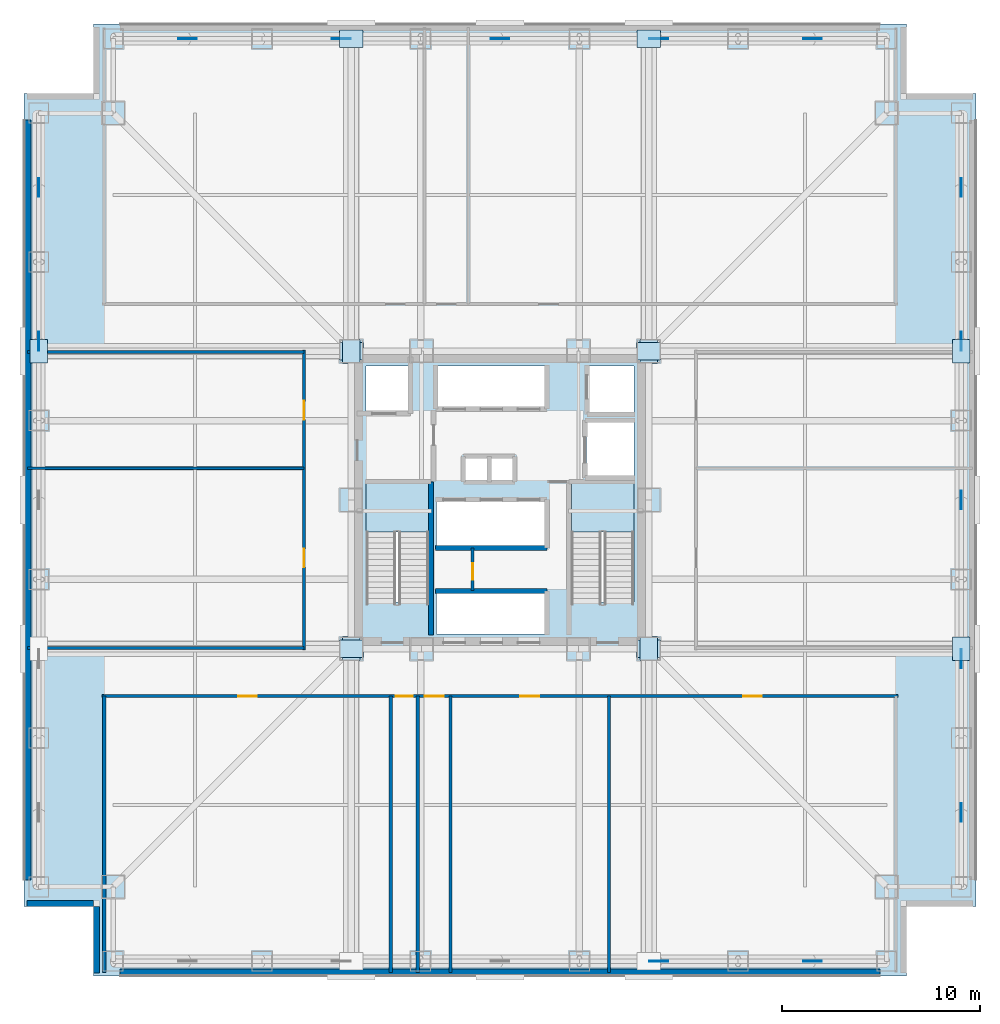
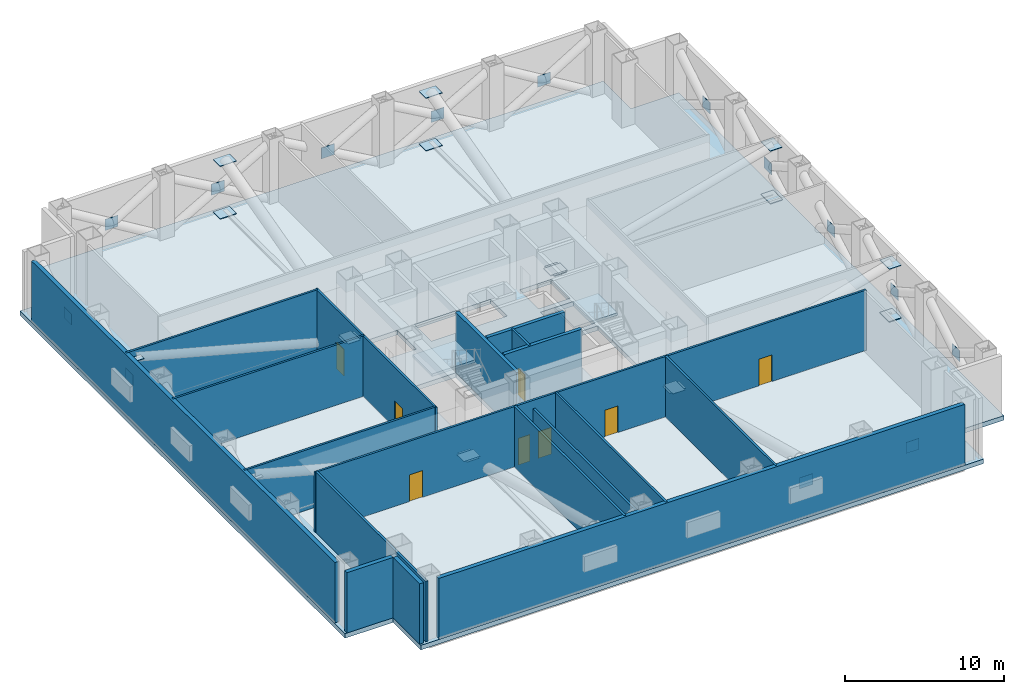
# One storey, part 3 of 8: 31 plates, 18 walls, 8 doors, 3 slabs, 8 openings, 2 elements without a shape of their own.
"""IFC4 building model written with IfcOpenShell, lengths in metres."""

from ifc_helpers import new_model, si_unit, direction, frame, frame_2d, origin, origin_2d, place, context, subcontext, project, spatial, polyline, rectangle, outline, extrude, material, layer, layer_set, type_object, element, fill, aggregate, save


model = new_model("IFC4")

# Units and contexts
model_context = context("Model", 3, precision=1e-05, world=origin(), true_north=direction((0.0, 1.0)))
body_context = subcontext(model_context, "Body", "Model", "MODEL_VIEW")
ifc_project = project(units=[si_unit("LENGTHUNIT", "METRE"), si_unit("AREAUNIT", "SQUARE_METRE"), si_unit("VOLUMEUNIT", "CUBIC_METRE"), si_unit("PLANEANGLEUNIT", "RADIAN"), si_unit("MASSUNIT", "GRAM", prefix="KILO")], contexts=[model_context])

# Site, building, storey
site_placement = place(None, origin())
site = spatial("IfcSite", under=ifc_project, at=site_placement, CompositionType="ELEMENT")
building_placement = place(site_placement, origin())
building = spatial("IfcBuilding", under=site, at=building_placement, Name="Trevonay Congress Spire", CompositionType="ELEMENT")
storey_placement = place(building_placement, frame((0.0, 0.0, 83.0)))
storey = spatial("IfcBuildingStorey", under=building, at=storey_placement, Name="L21", CompositionType="ELEMENT", Elevation=83.0)

# Plates
ifc_material_1 = material(Name="Steel ASTM A572 Grade 50", Category="steel")
ifc_layer_1 = layer(ifc_material_1, 0.034912109375, Name="Steel ASTM A572 Grade 50")
ifc_layer_set_1 = layer_set([ifc_layer_1], Name="Steel ASTM A572 Grade 50")
plate_type_1 = type_object("IfcPlateType", Name="PLT-GUSSET-BELT-35", PredefinedType="USERDEFINED", material=ifc_layer_set_1)
for number, where, z_axis, x_axis, name in (
    (1, (8.0, -23.25, 1.800048828125), (0.0, 0.0, 1.0), (1.0, 0.0, 0.0), "L21 belt X-brace crossing gusset plate XN-01 S3"),
    (2, (15.75, -23.25, 1.800048828125), (0.0, 0.0, 1.0), (1.0, 0.0, 0.0), "L21 belt X-brace crossing gusset plate XN-01 S4"),
    (3, (-15.75, 23.25, 1.800048828125), (0.0, 0.0, 1.0), (1.0, 0.0, 0.0), "L21 belt X-brace crossing gusset plate XN-01 N0"),
    (4, (-8.0, 23.25, 1.800048828125), (0.0, 0.0, 1.0), (1.0, 0.0, 0.0), "L21 belt X-brace crossing gusset plate XN-01 N1"),
    (5, (0.0, 23.25, 1.800048828125), (0.0, 0.0, 1.0), (1.0, 0.0, 0.0), "L21 belt X-brace crossing gusset plate XN-01 N2"),
    (6, (8.0, 23.25, 1.800048828125), (0.0, 0.0, 1.0), (1.0, 0.0, 0.0), "L21 belt X-brace crossing gusset plate XN-01 N3"),
    (7, (15.75, 23.25, 1.800048828125), (0.0, 0.0, 1.0), (1.0, 0.0, 0.0), "L21 belt X-brace crossing gusset plate XN-01 N4"),
):
    element("IfcPlate", number, at=place(storey_placement, frame(where, z_axis=z_axis, x_axis=x_axis)), inside=storey, type_object=plate_type_1, Name=name, ObjectType="GUSSET_PLATE", PredefinedType="USERDEFINED", context=body_context, shape_type="SweptSolid", body=[
        extrude(rectangle(XDim=0.949951171875, YDim=0.034912109375, at=origin_2d()), origin(), (0.0, 0.0, 1.0), 0.85009765625),
    ])
for number, where, z_axis, x_axis, name in (
    (8, (-23.25, 8.0, 1.800048828125), (0.0, 0.0, 1.0), (1.0, 0.0, 0.0), "L21 belt X-brace crossing gusset plate XN-01 W3"),
    (9, (-23.25, 15.75, 1.800048828125), (0.0, 0.0, 1.0), (1.0, 0.0, 0.0), "L21 belt X-brace crossing gusset plate XN-01 W4"),
    (10, (23.25, -15.75, 1.800048828125), (0.0, 0.0, 1.0), (1.0, 0.0, 0.0), "L21 belt X-brace crossing gusset plate XN-01 E0"),
    (11, (23.25, -8.0, 1.800048828125), (0.0, 0.0, 1.0), (1.0, 0.0, 0.0), "L21 belt X-brace crossing gusset plate XN-01 E1"),
    (12, (23.25, 0.0, 1.800048828125), (0.0, 0.0, 1.0), (1.0, 0.0, 0.0), "L21 belt X-brace crossing gusset plate XN-01 E2"),
    (13, (23.25, 8.0, 1.800048828125), (0.0, 0.0, 1.0), (1.0, 0.0, 0.0), "L21 belt X-brace crossing gusset plate XN-01 E3"),
    (14, (23.25, 15.75, 1.800048828125), (0.0, 0.0, 1.0), (1.0, 0.0, 0.0), "L21 belt X-brace crossing gusset plate XN-01 E4"),
):
    element("IfcPlate", number, at=place(storey_placement, frame(where, z_axis=z_axis, x_axis=x_axis)), inside=storey, type_object=plate_type_1, Name=name, ObjectType="GUSSET_PLATE", PredefinedType="USERDEFINED", context=body_context, shape_type="SweptSolid", body=[
        extrude(rectangle(XDim=0.034912109375, YDim=0.949951171875, at=origin_2d()), origin(), (0.0, 0.0, 1.0), 0.85009765625),
    ])
ifc_layer_2 = layer(ifc_material_1, 0.044921875, Name="Steel ASTM A572 Grade 50")
ifc_layer_set_2 = layer_set([ifc_layer_2], Name="Steel ASTM A572 Grade 50")
plate_type_2 = type_object("IfcPlateType", Name="PLT-GUSSET-INT-45", PredefinedType="USERDEFINED", material=ifc_layer_set_2)
for number, where, z_axis, x_axis, name in (
    (15, (-7.5, -7.5, 0.027587890625), (0.0, 0.0, 1.0), (1.0, 0.0, 0.0), "L21 outrigger-to-core cast-in embed gusset plate ON-01 (OS-W)"),
    (16, (7.5, -7.5, 0.027587890625), (0.0, 0.0, 1.0), (1.0, 0.0, 0.0), "L21 outrigger-to-core cast-in embed gusset plate ON-01 (OS-E)"),
    (17, (-7.5, 7.5, 0.027587890625), (0.0, 0.0, 1.0), (1.0, 0.0, 0.0), "L21 outrigger-to-core cast-in embed gusset plate ON-01 (ON-W)"),
    (18, (-7.5, 23.25, 0.07763671875), (0.0, 0.0, 1.0), (1.0, 0.0, 0.0), "L21 outrigger outer-chord gusset plate ON-02 (ON-W)"),
    (19, (-7.5, 23.25, 4.12744140625), (0.0, 0.0, 1.0), (1.0, 0.0, 0.0), "L21 outrigger outer-diagonal gusset plate ON-02 (ON-W)"),
    (20, (7.5, 7.5, 0.027587890625), (0.0, 0.0, 1.0), (1.0, 0.0, 0.0), "L21 outrigger-to-core cast-in embed gusset plate ON-01 (ON-E)"),
    (21, (7.5, 23.25, 0.07763671875), (0.0, 0.0, 1.0), (1.0, 0.0, 0.0), "L21 outrigger outer-chord gusset plate ON-02 (ON-E)"),
    (22, (7.5, 23.25, 4.12744140625), (0.0, 0.0, 1.0), (1.0, 0.0, 0.0), "L21 outrigger outer-diagonal gusset plate ON-02 (ON-E)"),
    (23, (-7.5, -7.5, 0.027587890625), (0.0, 0.0, 1.0), (0.0, 1.0, 0.0), "L21 outrigger-to-core cast-in embed gusset plate ON-01 (OW-S)"),
    (24, (-7.5, 7.5, 0.027587890625), (0.0, 0.0, 1.0), (0.0, 1.0, 0.0), "L21 outrigger-to-core cast-in embed gusset plate ON-01 (OW-N)"),
    (25, (-23.25, 7.5, 4.12744140625), (0.0, 0.0, 1.0), (0.0, 1.0, 0.0), "L21 outrigger outer-diagonal gusset plate ON-02 (OW-N)"),
    (26, (7.5, -7.5, 0.027587890625), (0.0, 0.0, 1.0), (0.0, 1.0, 0.0), "L21 outrigger-to-core cast-in embed gusset plate ON-01 (OE-S)"),
    (27, (23.25, -7.5, 0.07763671875), (0.0, 0.0, 1.0), (0.0, 1.0, 0.0), "L21 outrigger outer-chord gusset plate ON-02 (OE-S)"),
    (28, (23.25, -7.5, 4.12744140625), (0.0, 0.0, 1.0), (0.0, 1.0, 0.0), "L21 outrigger outer-diagonal gusset plate ON-02 (OE-S)"),
    (29, (7.5, 7.5, 0.027587890625), (0.0, 0.0, 1.0), (0.0, 1.0, 0.0), "L21 outrigger-to-core cast-in embed gusset plate ON-01 (OE-N)"),
    (30, (23.25, 7.5, 0.07763671875), (0.0, 0.0, 1.0), (0.0, 1.0, 0.0), "L21 outrigger outer-chord gusset plate ON-02 (OE-N)"),
    (31, (23.25, 7.5, 4.12744140625), (0.0, 0.0, 1.0), (0.0, 1.0, 0.0), "L21 outrigger outer-diagonal gusset plate ON-02 (OE-N)"),
):
    element("IfcPlate", number, at=place(storey_placement, frame(where, z_axis=z_axis, x_axis=x_axis)), inside=storey, type_object=plate_type_2, Name=name, ObjectType="GUSSET_PLATE", PredefinedType="USERDEFINED", context=body_context, shape_type="SweptSolid", body=[
        extrude(rectangle(XDim=1.199951171875, YDim=0.89990234375, at=origin_2d()), origin(), (0.0, 0.0, 1.0), 0.044921875),
    ])

# Slab
ifc_material_2 = material(Name="Concrete C40/50", Category="concrete")
ifc_layer_3 = layer(ifc_material_2, 0.35009765625, Name="Concrete C40/50")
ifc_layer_set_3 = layer_set([ifc_layer_3], Name="Concrete C40/50")
slab_type_1 = type_object("IfcSlabType", Name="SLB-POD-350", PredefinedType="FLOOR", material=ifc_layer_set_3)
slab_1_placement = place(storey_placement, frame((0.0, 0.0, -0.35009765625)))
element("IfcSlab", 32, at=slab_1_placement, inside=storey, type_object=slab_type_1, Name="L21 structural floor slab", PredefinedType="FLOOR", context=body_context, shape_type="SweptSolid", body=[
    extrude(outline(polyline([(-20.5, -24.0), (20.5, -24.0), (20.5, -20.5), (24.0, -20.5), (24.0, 20.5), (20.5, 20.5), (20.5, 24.0), (-20.5, 24.0), (-20.5, 20.5), (-24.0, 20.5), (-24.0, -20.5), (-20.5, -20.5), (-20.5, -24.0)]), holes=[polyline([(-3.60009765625, -5.14990234375), (-3.60009765625, 0.85009765625), (-6.75, 0.85009765625), (-6.75, -5.14990234375), (-3.60009765625, -5.14990234375)]), polyline([(6.75, -5.14990234375), (6.75, 0.85009765625), (3.60009765625, 0.85009765625), (3.60009765625, -5.14990234375), (6.75, -5.14990234375)]), polyline([(-3.199951171875, -6.75), (2.340087890625, -6.75), (2.340087890625, -4.64990234375), (-3.199951171875, -4.64990234375), (-3.199951171875, -6.75)]), polyline([(-3.199951171875, -2.35009765625), (2.340087890625, -2.35009765625), (2.340087890625, -0.050048828125), (-3.199951171875, -0.050048828125), (-3.199951171875, -2.35009765625)]), polyline([(-3.199951171875, 4.64990234375), (2.340087890625, 4.64990234375), (2.340087890625, 6.75), (-3.199951171875, 6.75), (-3.199951171875, 4.64990234375)]), polyline([(-6.75, 4.35009765625), (-4.449951171875, 4.35009765625), (-4.449951171875, 6.75), (-6.75, 6.75), (-6.75, 4.35009765625)]), polyline([(4.449951171875, 4.35009765625), (6.75, 4.35009765625), (6.75, 6.75), (4.449951171875, 6.75), (4.449951171875, 4.35009765625)]), polyline([(4.35009765625, 1.199951171875), (6.75, 1.199951171875), (6.75, 3.949951171875), (4.35009765625, 3.949951171875), (4.35009765625, 1.199951171875)]), polyline([(-1.800048828125, 0.949951171875), (0.699951171875, 0.949951171875), (0.699951171875, 2.14990234375), (-1.800048828125, 2.14990234375), (-1.800048828125, 0.949951171875)])]), origin(), (0.0, 0.0, 1.0), 0.35009765625),
])

# Stair, slab
stair_type_1 = type_object("IfcStairType", Name="STR-ST-1", PredefinedType="HALF_TURN_STAIR", material=ifc_material_2)
stair_1_placement = place(storey_placement, origin())
stair_1 = element("IfcStair", 33, at=stair_1_placement, inside=storey, type_object=stair_type_1, Name="L21 Protected Exit Stair ST-1", PredefinedType="HALF_TURN_STAIR")
ifc_layer_4 = layer(ifc_material_2, 0.199951171875, Name="Concrete C40/50")
ifc_layer_set_4 = layer_set([ifc_layer_4], Name="Concrete C40/50")
slab_type_2 = type_object("IfcSlabType", Name="SLB-STAIR-LAND-200", PredefinedType="LANDING", material=ifc_layer_set_4)
slab_2_placement = place(storey_placement, frame((0.0, 0.0, 2.300048828125)))
slab_2 = element("IfcSlab", 34, at=slab_2_placement, type_object=slab_type_2, Name="ST-1 landing 1", PredefinedType="LANDING", context=body_context, shape_type="SweptSolid", body=[
    extrude(outline(polyline([(-3.60009765625, -1.610107421875), (-3.60009765625, 0.85009765625), (-6.75, 0.85009765625), (-6.75, -1.610107421875), (-3.60009765625, -1.610107421875)])), origin(), (0.0, 0.0, 1.0), 0.199951171875),
])
aggregate(stair_1, [slab_2])

stair_type_2 = type_object("IfcStairType", Name="STR-ST-2", PredefinedType="HALF_TURN_STAIR", material=ifc_material_2)
stair_2_placement = place(storey_placement, origin())
stair_2 = element("IfcStair", 35, at=stair_2_placement, inside=storey, type_object=stair_type_2, Name="L21 Protected Exit Stair ST-2", PredefinedType="HALF_TURN_STAIR")
slab_3_placement = place(storey_placement, frame((0.0, 0.0, 2.300048828125)))
slab_3 = element("IfcSlab", 36, at=slab_3_placement, type_object=slab_type_2, Name="ST-2 landing 1", PredefinedType="LANDING", context=body_context, shape_type="SweptSolid", body=[
    extrude(outline(polyline([(6.75, -1.610107421875), (6.75, 0.85009765625), (3.60009765625, 0.85009765625), (3.60009765625, -1.610107421875), (6.75, -1.610107421875)])), origin(), (0.0, 0.0, 1.0), 0.199951171875),
])
aggregate(stair_2, [slab_3])

# Wall, openings, doors
ifc_layer_5 = layer(ifc_material_2, 0.14990234375, Name="Concrete C40/50")
ifc_layer_set_5 = layer_set([ifc_layer_5], Name="Concrete C40/50")
wall_type_1 = type_object("IfcWallType", Name="WAL-CORR-150", PredefinedType="PARTITIONING", material=ifc_layer_set_5)
wall_1_placement = place(storey_placement, frame((-20.070068359375, -9.8798828125, 0.0), z_axis=(0.0, 0.0, 1.0), x_axis=(1.0, 0.0, 0.0)))
wall_1 = element("IfcWall", 37, at=wall_1_placement, inside=storey, type_object=wall_type_1, Name="L21 interior wall WP-L21S-COR", PredefinedType="PARTITIONING", context=body_context, shape_type="SweptSolid", body=[
    extrude(rectangle(XDim=40.14013671875, YDim=0.14990234375, at=frame_2d((20.070068359375, 0.0))), origin(), (0.0, 0.0, 1.0), 4.64990234375),
])
opening_1_placement = place(wall_1_placement, frame((6.8701171875, 0.0, 0.0)))
opening_1 = element("IfcOpeningElement", 38, at=opening_1_placement, cuts=wall_1, Name="Opening D07", PredefinedType="OPENING", context=body_context, shape_type="SweptSolid", body=[
    extrude(rectangle(XDim=0.949951171875, YDim=2.06005859375, at=frame_2d((0.47509765625, 1.030029296875))), frame((0.0, 0.0849609375, 0.0), z_axis=(0.0, -1.0, 0.0), x_axis=(1.0, 0.0, 0.0)), (0.0, 0.0, 1.0), 0.169921875),
])
opening_2_placement = place(wall_1_placement, frame((14.824951171875, 0.0, 0.0)))
opening_2 = element("IfcOpeningElement", 39, at=opening_2_placement, cuts=wall_1, Name="Opening D10", PredefinedType="OPENING", context=body_context, shape_type="SweptSolid", body=[
    extrude(rectangle(XDim=0.85009765625, YDim=2.050048828125, at=frame_2d((0.425048828125, 1.02490234375))), frame((0.0, 0.0849609375, 0.0), z_axis=(0.0, -1.0, 0.0), x_axis=(1.0, 0.0, 0.0)), (0.0, 0.0, 1.0), 0.169921875),
])
opening_3_placement = place(wall_1_placement, frame((16.27490234375, 0.0, 0.0)))
opening_3 = element("IfcOpeningElement", 40, at=opening_3_placement, cuts=wall_1, Name="Opening D07", PredefinedType="OPENING", context=body_context, shape_type="SweptSolid", body=[
    extrude(rectangle(XDim=0.949951171875, YDim=2.06005859375, at=frame_2d((0.47509765625, 1.030029296875))), frame((0.0, 0.0849609375, 0.0), z_axis=(0.0, -1.0, 0.0), x_axis=(1.0, 0.0, 0.0)), (0.0, 0.0, 1.0), 0.169921875),
])
opening_4_placement = place(wall_1_placement, frame((21.094970703125, 0.0, 0.0)))
opening_4 = element("IfcOpeningElement", 41, at=opening_4_placement, cuts=wall_1, Name="Opening D07", PredefinedType="OPENING", context=body_context, shape_type="SweptSolid", body=[
    extrude(rectangle(XDim=0.949951171875, YDim=2.06005859375, at=frame_2d((0.47509765625, 1.030029296875))), frame((0.0, 0.0849609375, 0.0), z_axis=(0.0, -1.0, 0.0), x_axis=(1.0, 0.0, 0.0)), (0.0, 0.0, 1.0), 0.169921875),
])
opening_5_placement = place(wall_1_placement, frame((32.320068359375, 0.0, 0.0)))
opening_5 = element("IfcOpeningElement", 42, at=opening_5_placement, cuts=wall_1, Name="Opening D07", PredefinedType="OPENING", context=body_context, shape_type="SweptSolid", body=[
    extrude(rectangle(XDim=0.949951171875, YDim=2.06005859375, at=frame_2d((0.47509765625, 1.030029296875))), frame((0.0, 0.0849609375, 0.0), z_axis=(0.0, -1.0, 0.0), x_axis=(1.0, 0.0, 0.0)), (0.0, 0.0, 1.0), 0.169921875),
])
ifc_material_3 = material(Name="Pale Anodised Aluminium EN AW-6063-T6", Category="aluminium")
door_type_1 = type_object("IfcDoorType", Name="DOR-OFFICE-95", OperationType="NOTDEFINED", PredefinedType="DOOR", material=ifc_material_3)
door_1_placement = place(opening_1_placement, origin())
door_1 = element("IfcDoor", 43, at=door_1_placement, inside=storey, type_object=door_type_1, Name="L21 Chiller and Heat-Pump Plant Door", OperationType="SINGLE_SWING_RIGHT", OverallHeight=2.06005859375, OverallWidth=0.949951171875, PredefinedType="DOOR", context=body_context, shape_type="SweptSolid", body=[
    extrude(rectangle(XDim=0.949951171875, YDim=2.06005859375, at=frame_2d((0.47509765625, 1.030029296875))), frame((0.0, 0.02490234375, 0.0), z_axis=(0.0, -1.0, 0.0), x_axis=(1.0, 0.0, 0.0)), (0.0, 0.0, 1.0), 0.050048828125),
])
fill(opening_1, door_1)
door_2_placement = place(opening_3_placement, origin())
door_2 = element("IfcDoor", 44, at=door_2_placement, inside=storey, type_object=door_type_1, Name="L21 Floor Supplies and Copy Room Door", OperationType="SINGLE_SWING_RIGHT", OverallHeight=2.06005859375, OverallWidth=0.949951171875, PredefinedType="DOOR", context=body_context, shape_type="SweptSolid", body=[
    extrude(rectangle(XDim=0.949951171875, YDim=2.06005859375, at=frame_2d((0.47509765625, 1.030029296875))), frame((0.0, 0.02490234375, 0.0), z_axis=(0.0, -1.0, 0.0), x_axis=(1.0, 0.0, 0.0)), (0.0, 0.0, 1.0), 0.050048828125),
])
fill(opening_3, door_2)
door_3_placement = place(opening_4_placement, origin())
door_3 = element("IfcDoor", 45, at=door_3_placement, inside=storey, type_object=door_type_1, Name="L21 Primary AHU Supply Plant Door", OperationType="SINGLE_SWING_LEFT", OverallHeight=2.06005859375, OverallWidth=0.949951171875, PredefinedType="DOOR", context=body_context, shape_type="SweptSolid", body=[
    extrude(rectangle(XDim=0.949951171875, YDim=2.06005859375, at=frame_2d((0.47509765625, 1.030029296875))), frame((0.0, 0.02490234375, 0.0), z_axis=(0.0, -1.0, 0.0), x_axis=(1.0, 0.0, 0.0)), (0.0, 0.0, 1.0), 0.050048828125),
])
fill(opening_4, door_3)
door_4_placement = place(opening_5_placement, origin())
door_4 = element("IfcDoor", 46, at=door_4_placement, inside=storey, type_object=door_type_1, Name="L21 Heat-Recovery Exhaust Plant Door", OperationType="SINGLE_SWING_RIGHT", OverallHeight=2.06005859375, OverallWidth=0.949951171875, PredefinedType="DOOR", context=body_context, shape_type="SweptSolid", body=[
    extrude(rectangle(XDim=0.949951171875, YDim=2.06005859375, at=frame_2d((0.47509765625, 1.030029296875))), frame((0.0, 0.02490234375, 0.0), z_axis=(0.0, -1.0, 0.0), x_axis=(1.0, 0.0, 0.0)), (0.0, 0.0, 1.0), 0.050048828125),
])
fill(opening_5, door_4)
door_type_2 = type_object("IfcDoorType", Name="DOR-WC-85", OperationType="NOTDEFINED", PredefinedType="DOOR", material=ifc_material_3)
door_5_placement = place(opening_2_placement, origin())
door_5 = element("IfcDoor", 47, at=door_5_placement, inside=storey, type_object=door_type_2, Name="L21 Accessible Refuge WC Door", OperationType="SINGLE_SWING_LEFT", OverallHeight=2.050048828125, OverallWidth=0.85009765625, PredefinedType="DOOR", context=body_context, shape_type="SweptSolid", body=[
    extrude(rectangle(XDim=0.85009765625, YDim=2.050048828125, at=frame_2d((0.425048828125, 1.02490234375))), frame((0.0, 0.02490234375, 0.0), z_axis=(0.0, -1.0, 0.0), x_axis=(1.0, 0.0, 0.0)), (0.0, 0.0, 1.0), 0.050048828125),
])
fill(opening_2, door_5)

wall_2_placement = place(storey_placement, frame((-9.8798828125, -7.570068359375, 0.0), z_axis=(0.0, 0.0, 1.0), x_axis=(0.0, 1.0, 0.0)))
wall_2 = element("IfcWall", 48, at=wall_2_placement, inside=storey, type_object=wall_type_1, Name="L21 interior wall WP-L21W-COR", PredefinedType="PARTITIONING", context=body_context, shape_type="SweptSolid", body=[
    extrude(rectangle(XDim=15.14013671875, YDim=0.14990234375, at=frame_2d((7.570068359375, 0.0))), origin(), (0.0, 0.0, 1.0), 4.64990234375),
])
opening_6_placement = place(wall_2_placement, frame((4.169921875, 0.0, 0.0)))
opening_6 = element("IfcOpeningElement", 49, at=opening_6_placement, cuts=wall_2, Name="Opening D07", PredefinedType="OPENING", context=body_context, shape_type="SweptSolid", body=[
    extrude(rectangle(XDim=0.949951171875, YDim=2.06005859375, at=frame_2d((0.47509765625, 1.030029296875))), frame((0.0, 0.0849609375, 0.0), z_axis=(0.0, -1.0, 0.0), x_axis=(1.0, 0.0, 0.0)), (0.0, 0.0, 1.0), 0.169921875),
])
opening_7_placement = place(wall_2_placement, frame((11.6201171875, 0.0, 0.0)))
opening_7 = element("IfcOpeningElement", 50, at=opening_7_placement, cuts=wall_2, Name="Opening D07", PredefinedType="OPENING", context=body_context, shape_type="SweptSolid", body=[
    extrude(rectangle(XDim=0.949951171875, YDim=2.06005859375, at=frame_2d((0.47509765625, 1.030029296875))), frame((0.0, 0.0849609375, 0.0), z_axis=(0.0, -1.0, 0.0), x_axis=(1.0, 0.0, 0.0)), (0.0, 0.0, 1.0), 0.169921875),
])
door_6_placement = place(opening_6_placement, origin())
door_6 = element("IfcDoor", 51, at=door_6_placement, inside=storey, type_object=door_type_1, Name="L21 Refuge Area West Door", OperationType="SINGLE_SWING_RIGHT", OverallHeight=2.06005859375, OverallWidth=0.949951171875, PredefinedType="DOOR", context=body_context, shape_type="SweptSolid", body=[
    extrude(rectangle(XDim=0.949951171875, YDim=2.06005859375, at=frame_2d((0.47509765625, 1.030029296875))), frame((0.0, 0.02490234375, 0.0), z_axis=(0.0, -1.0, 0.0), x_axis=(1.0, 0.0, 0.0)), (0.0, 0.0, 1.0), 0.050048828125),
])
fill(opening_6, door_6)
door_7_placement = place(opening_7_placement, origin())
door_7 = element("IfcDoor", 52, at=door_7_placement, inside=storey, type_object=door_type_1, Name="L21 Pressurization Fan Room West Door", OperationType="SINGLE_SWING_LEFT", OverallHeight=2.06005859375, OverallWidth=0.949951171875, PredefinedType="DOOR", context=body_context, shape_type="SweptSolid", body=[
    extrude(rectangle(XDim=0.949951171875, YDim=2.06005859375, at=frame_2d((0.47509765625, 1.030029296875))), frame((0.0, 0.02490234375, 0.0), z_axis=(0.0, -1.0, 0.0), x_axis=(1.0, 0.0, 0.0)), (0.0, 0.0, 1.0), 0.050048828125),
])
fill(opening_7, door_7)

# Walls
ifc_material_4 = material(Name="Precast concrete C40/50", Category="concrete")
ifc_layer_6 = layer(ifc_material_4, 0.300048828125, Name="Precast concrete C40/50")
ifc_layer_set_6 = layer_set([ifc_layer_6], Name="Precast concrete C40/50")
wall_type_2 = type_object("IfcWallType", Name="WAL-EXT-PRECAST-300", PredefinedType="SOLIDWALL", material=ifc_layer_set_6)
for number, where, z_axis, x_axis, name in (
    (53, (-19.14990234375, -23.800048828125, 0.0), (0.0, 0.0, 1.0), (1.0, 0.0, 0.0), "L21 S outrigger plant backup wall"),
    (54, (-23.800048828125, -19.14990234375, 0.0), (0.0, 0.0, 1.0), (0.0, 1.0, 0.0), "L21 W outrigger plant backup wall"),
):
    element("IfcWall", number, at=place(storey_placement, frame(where, z_axis=z_axis, x_axis=x_axis)), inside=storey, type_object=wall_type_2, Name=name, PredefinedType="SOLIDWALL", context=body_context, shape_type="SweptSolid", body=[
        extrude(rectangle(XDim=38.2998046875, YDim=0.300048828125, at=frame_2d((19.14990234375, 0.0))), origin(), (0.0, 0.0, 1.0), 4.64990234375),
    ])
for number, where, z_axis, x_axis, name in (
    (55, (-20.35009765625, -23.85009765625, 0.0), (0.0, 0.0, 1.0), (0.0, 1.0, 0.0), "L21 SW plant notch wall 1"),
    (56, (-23.85009765625, -20.35009765625, 0.0), (0.0, 0.0, 1.0), (1.0, 0.0, 0.0), "L21 SW plant notch wall 2"),
):
    element("IfcWall", number, at=place(storey_placement, frame(where, z_axis=z_axis, x_axis=x_axis)), inside=storey, type_object=wall_type_2, Name=name, PredefinedType="SOLIDWALL", context=body_context, shape_type="SweptSolid", body=[
        extrude(rectangle(XDim=3.35009765625, YDim=0.300048828125, at=frame_2d((1.675048828125, 0.0))), origin(), (0.0, 0.0, 1.0), 4.64990234375),
    ])

# Wall, opening, door
ifc_layer_7 = layer(ifc_material_2, 0.14990234375, Name="Concrete C40/50")
ifc_layer_set_7 = layer_set([ifc_layer_7], Name="Concrete C40/50")
wall_type_3 = type_object("IfcWallType", Name="WAL-PART-150", PredefinedType="PARTITIONING", material=ifc_layer_set_7)
wall_3_placement = place(storey_placement, frame((-1.3798828125, -4.570068359375, 0.0), z_axis=(0.0, 0.0, 1.0), x_axis=(0.0, 1.0, 0.0)))
wall_3 = element("IfcWall", 57, at=wall_3_placement, inside=storey, type_object=wall_type_3, Name="L21 interior wall CW-K2-L21", PredefinedType="PARTITIONING", context=body_context, shape_type="SweptSolid", body=[
    extrude(rectangle(XDim=2.14013671875, YDim=0.14990234375, at=frame_2d((1.070068359375, 0.0))), origin(), (0.0, 0.0, 1.0), 4.64990234375),
])
opening_8_placement = place(wall_3_placement, frame((0.550048828125, 0.0, 0.0)))
opening_8 = element("IfcOpeningElement", 58, at=opening_8_placement, cuts=wall_3, Name="Opening D13", PredefinedType="OPENING", context=body_context, shape_type="SweptSolid", body=[
    extrude(rectangle(XDim=0.820068359375, YDim=2.050048828125, at=frame_2d((0.41015625, 1.02490234375))), frame((0.0, 0.0849609375, 0.0), z_axis=(0.0, -1.0, 0.0), x_axis=(1.0, 0.0, 0.0)), (0.0, 0.0, 1.0), 0.169921875),
])
door_type_3 = type_object("IfcDoorType", Name="DOR-UTIL-80", OperationType="NOTDEFINED", PredefinedType="DOOR", material=ifc_material_1)
door_8_placement = place(opening_8_placement, origin())
door_8 = element("IfcDoor", 59, at=door_8_placement, inside=storey, type_object=door_type_3, Name="L21 Core Valve Room Door", OperationType="SINGLE_SWING_LEFT", OverallHeight=2.050048828125, OverallWidth=0.820068359375, PredefinedType="DOOR", context=body_context, shape_type="SweptSolid", body=[
    extrude(rectangle(XDim=0.820068359375, YDim=2.050048828125, at=frame_2d((0.41015625, 1.02490234375))), frame((0.0, 0.02490234375, 0.0), z_axis=(0.0, -1.0, 0.0), x_axis=(1.0, 0.0, 0.0)), (0.0, 0.0, 1.0), 0.050048828125),
])
fill(opening_8, door_8)

# Walls
for number, where, z_axis, x_axis, name in (
    (60, (-2.5, -23.820068359375, 0.0), (0.0, 0.0, 1.0), (0.0, 1.0, 0.0), "L21 interior wall WP-L21S-DIV3"),
    (61, (5.5, -23.820068359375, 0.0), (0.0, 0.0, 1.0), (0.0, 1.0, 0.0), "L21 interior wall WP-L21S-DIV4"),
    (62, (-23.820068359375, -7.449951171875, 0.0), (0.0, 0.0, 1.0), (1.0, 0.0, 0.0), "L21 interior wall WP-L21W-DIV1"),
    (63, (-23.820068359375, 1.60009765625, 0.0), (0.0, 0.0, 1.0), (1.0, 0.0, 0.0), "L21 interior wall WP-L21W-DIV2"),
    (64, (-23.820068359375, 7.449951171875, 0.0), (0.0, 0.0, 1.0), (1.0, 0.0, 0.0), "L21 interior wall WP-L21W-DIV3"),
):
    element("IfcWall", number, at=place(storey_placement, frame(where, z_axis=z_axis, x_axis=x_axis)), inside=storey, type_object=wall_type_3, Name=name, PredefinedType="PARTITIONING", context=body_context, shape_type="SweptSolid", body=[
        extrude(rectangle(XDim=13.940185546875, YDim=0.14990234375, at=frame_2d((6.97021484375, 0.0))), origin(), (0.0, 0.0, 1.0), 4.64990234375),
    ])
ifc_layer_8 = layer(ifc_material_2, 0.25, Name="Concrete C40/50")
ifc_layer_set_8 = layer_set([ifc_layer_8], Name="Concrete C40/50")
wall_type_4 = type_object("IfcWallType", Name="WAL-SHAFT-250", PredefinedType="SHEAR", material=ifc_layer_set_8)
for number, where, z_axis, x_axis, name in (
    (65, (-3.260009765625, -4.580078125, 0.0), (0.0, 0.0, 1.0), (1.0, 0.0, 0.0), "L21 interior shaft wall WSH-L21-B1-N"),
    (66, (-3.260009765625, -2.419921875, 0.0), (0.0, 0.0, 1.0), (1.0, 0.0, 0.0), "L21 interior shaft wall WSH-L21-B2-S"),
):
    element("IfcWall", number, at=place(storey_placement, frame(where, z_axis=z_axis, x_axis=x_axis)), inside=storey, type_object=wall_type_4, Name=name, PredefinedType="SHEAR", context=body_context, shape_type="SweptSolid", body=[
        extrude(rectangle(XDim=5.639892578125, YDim=0.25, at=frame_2d((2.81982421875, 0.0))), origin(), (0.0, 0.0, 1.0), 4.64990234375),
    ])
ifc_layer_9 = layer(ifc_material_2, 0.25, Name="Concrete C40/50")
ifc_layer_set_9 = layer_set([ifc_layer_9], Name="Concrete C40/50")
wall_type_5 = type_object("IfcWallType", Name="WAL-SHAFT-LB-250", PredefinedType="SHEAR", material=ifc_layer_set_9)
wall_4_placement = place(storey_placement, frame((-3.469970703125, -6.800048828125, 0.0), z_axis=(0.0, 0.0, 1.0), x_axis=(0.0, 1.0, 0.0)))
element("IfcWall", 67, at=wall_4_placement, inside=storey, type_object=wall_type_5, Name="L21 interior shaft wall WSH-L21-ST1-E", PredefinedType="SHEAR", context=body_context, shape_type="SweptSolid", body=[
    extrude(rectangle(XDim=7.719970703125, YDim=0.25, at=frame_2d((3.85986328125, 0.0))), origin(), (0.0, 0.0, 1.0), 4.64990234375),
])
ifc_layer_10 = layer(ifc_material_2, 0.1650390625, Name="Concrete C40/50")
ifc_layer_set_10 = layer_set([ifc_layer_10], Name="Concrete C40/50")
wall_type_6 = type_object("IfcWallType", Name="WAL-WET-165", PredefinedType="PLUMBINGWALL", material=ifc_layer_set_10)
wall_5_placement = place(storey_placement, frame((-4.139892578125, -23.820068359375, 0.0), z_axis=(0.0, 0.0, 1.0), x_axis=(0.0, 1.0, 0.0)))
element("IfcWall", 68, at=wall_5_placement, inside=storey, type_object=wall_type_6, Name="L21 interior wall WP-L21S-WCS2", PredefinedType="PLUMBINGWALL", context=body_context, shape_type="SweptSolid", body=[
    extrude(rectangle(XDim=13.940185546875, YDim=0.1650390625, at=frame_2d((6.97021484375, 0.0))), origin(), (0.0, 0.0, 1.0), 4.009033203125),
])
for number, where, z_axis, x_axis, name in (
    (69, (-19.949951171875, -23.820068359375, 0.0), (0.0, 0.0, 1.0), (0.0, 1.0, 0.0), "L21 interior wall WP-L21S-DIV1"),
    (70, (-5.5, -23.820068359375, 0.0), (0.0, 0.0, 1.0), (0.0, 1.0, 0.0), "L21 interior wall WP-L21S-DIV2"),
):
    element("IfcWall", number, at=place(storey_placement, frame(where, z_axis=z_axis, x_axis=x_axis)), inside=storey, type_object=wall_type_6, Name=name, PredefinedType="PLUMBINGWALL", context=body_context, shape_type="SweptSolid", body=[
        extrude(rectangle(XDim=13.940185546875, YDim=0.1650390625, at=frame_2d((6.97021484375, 0.0))), origin(), (0.0, 0.0, 1.0), 4.64990234375),
    ])

save(model, "model.ifc")
